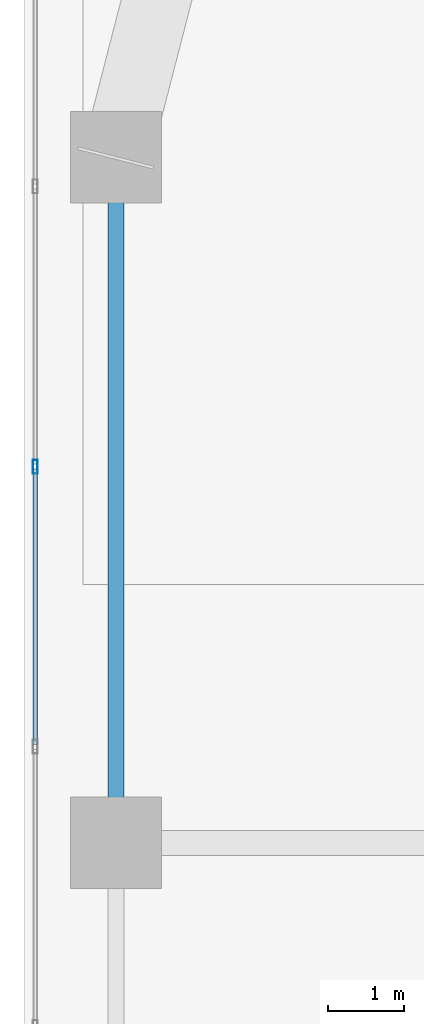
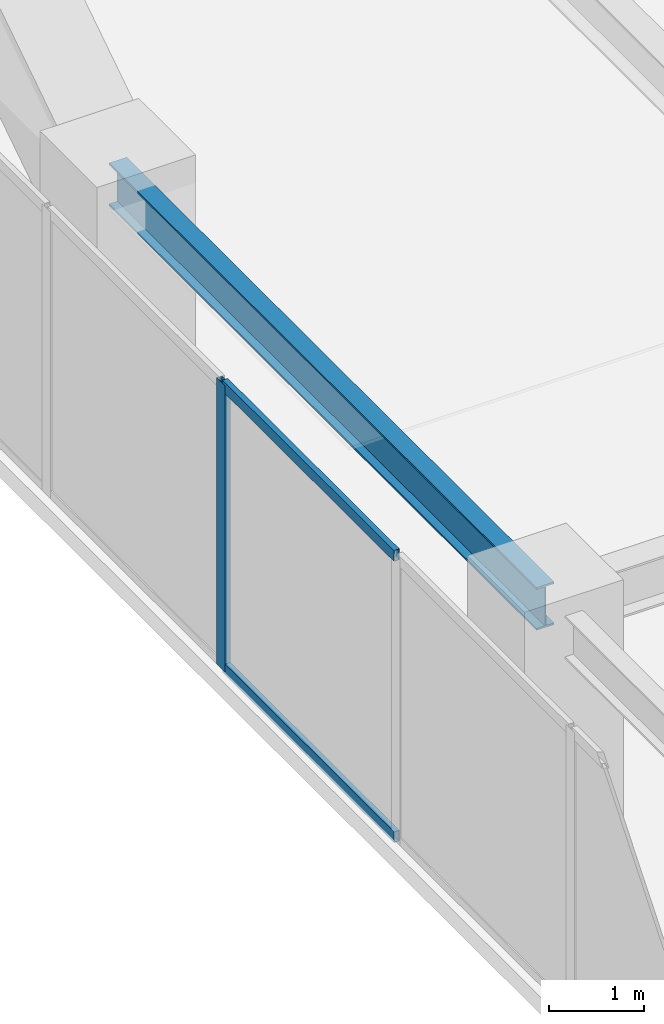
# One storey, part 7 of 30: 3 members, 1 beam, 1 element without a shape of its own.
"""IFC4 building model written with IfcOpenShell, lengths in metres."""

from ifc_helpers import new_model, si_unit, direction, frame, origin, origin_2d, place, context, subcontext, project, spatial, hollow_rectangle, i_section, extrude, material, layer, layer_set, material_profile, profile_set, type_object, element, aggregate, save


model = new_model("IFC4")

# Units and contexts
model_context = context("Model", 3, precision=1e-05, world=origin(), true_north=direction((0.0, 1.0)))
body_context = subcontext(model_context, "Body", "Model", "MODEL_VIEW")
ifc_project = project(units=[si_unit("LENGTHUNIT", "METRE"), si_unit("AREAUNIT", "SQUARE_METRE"), si_unit("VOLUMEUNIT", "CUBIC_METRE"), si_unit("PLANEANGLEUNIT", "RADIAN"), si_unit("MASSUNIT", "GRAM", prefix="KILO")], contexts=[model_context])

# Site, building, storey
site_placement = place(None, origin())
site = spatial("IfcSite", under=ifc_project, at=site_placement, CompositionType="ELEMENT")
building_placement = place(site_placement, origin())
building = spatial("IfcBuilding", under=site, at=building_placement, Name="Kiyonajd Concourse Tower", CompositionType="ELEMENT")
storey_placement = place(building_placement, frame((0.0, 0.0, 174.0)))
storey = spatial("IfcBuildingStorey", under=building, at=storey_placement, Name="L44", CompositionType="ELEMENT", Elevation=174.0)

# Beam
ifc_material_1 = material(Name="Steel ASTM A992 Grade 50", Category="steel")
ifc_material_profile_1 = material_profile(ifc_material_1, i_section(OverallWidth=0.214111328125, OverallDepth=0.549072265625, WebThickness=0.0146484375, FlangeThickness=0.023681640625, at=origin_2d()), Name="W530X138")
ifc_profile_set_1 = profile_set([ifc_material_profile_1], Name="Steel ASTM A992 Grade 50")
beam_type = type_object("IfcBeamType", Name="BM-SPAN-530A", PredefinedType="SPANDREL", material=ifc_profile_set_1)
beam_placement = place(storey_placement, frame((19.199951171875, 53.39990234375, 3.405517578125), z_axis=(0.0, -1.0, 0.0), x_axis=(1.0, 0.0, 0.0)))
element("IfcBeam", 1, at=beam_placement, inside=storey, type_object=beam_type, Name="L44 Perimeter Bundled Tube Spandrel", PredefinedType="SPANDREL", context=body_context, shape_type="SweptSolid", body=[
    extrude(i_section(OverallWidth=0.214111328125, OverallDepth=0.549072265625, WebThickness=0.0146484375, FlangeThickness=0.023681640625, at=origin_2d()), origin(), (0.0, 0.0, 1.0), 9.0),
])

# Curtain wall, members
ifc_material_2 = material(Name="Thermally Broken Anodised Aluminium", Category="aluminium")
ifc_layer = layer(ifc_material_2, 0.179931640625)
ifc_layer_set = layer_set([ifc_layer], Name="Thermally Broken Anodised Aluminium")
curtain_wall_type = type_object("IfcCurtainWallType", Name="CW-SYS-03", PredefinedType="NOTDEFINED", material=ifc_layer_set)
curtain_wall_placement = place(storey_placement, origin())
curtain_wall = element("IfcCurtainWall", 2, at=curtain_wall_placement, inside=storey, type_object=curtain_wall_type, Name="L44 Unitised Curtain Wall CW3", PredefinedType="NOTDEFINED")
ifc_material_profile_2 = material_profile(ifc_material_2, hollow_rectangle(XDim=0.06494140625, YDim=0.179931640625, WallThickness=0.00390625, at=origin_2d()), Name="MULL-65x180")
ifc_profile_set_2 = profile_set([ifc_material_profile_2], Name="Thermally Broken Anodised Aluminium")
member_type_1 = type_object("IfcMemberType", Name="MB-CW-MULL1", PredefinedType="MULLION", material=ifc_profile_set_2)
member_1_placement = place(storey_placement, frame((18.139892578125, 49.337646484375, 0.0), z_axis=(0.0, 0.0, 1.0), x_axis=(-1.0, 0.0, 0.0)))
member_1 = element("IfcMember", 3, at=member_1_placement, type_object=member_type_1, Name="CW3 mullion 5", PredefinedType="MULLION", context=body_context, shape_type="SweptSolid", body=[
    extrude(hollow_rectangle(XDim=0.06494140625, YDim=0.179931640625, WallThickness=0.00390625, at=origin_2d()), origin(), (0.0, 0.0, 1.0), 3.679931640625),
])
ifc_material_profile_3 = material_profile(ifc_material_2, hollow_rectangle(XDim=0.06494140625, YDim=0.139892578125, WallThickness=0.00390625, at=origin_2d()), Name="TRAN-65x140")
ifc_profile_set_3 = profile_set([ifc_material_profile_3], Name="Thermally Broken Anodised Aluminium")
member_type_2 = type_object("IfcMemberType", Name="MB-CW-TRAN1", PredefinedType="USERDEFINED", material=ifc_profile_set_3)
member_2_placement = place(storey_placement, frame((18.139892578125, 45.693359375, 0.032470703125), z_axis=(0.0, 1.0, 0.0), x_axis=(-1.0, 0.0, 0.0)))
member_2 = element("IfcMember", 4, at=member_2_placement, type_object=member_type_2, Name="CW3 transom 4.1", ObjectType="TRANSOM", PredefinedType="USERDEFINED", context=body_context, shape_type="SweptSolid", body=[
    extrude(hollow_rectangle(XDim=0.06494140625, YDim=0.139892578125, WallThickness=0.00390625, at=origin_2d()), origin(), (0.0, 0.0, 1.0), 3.61181640625),
])
member_3_placement = place(storey_placement, frame((18.139892578125, 45.693359375, 3.6474609375), z_axis=(0.0, 1.0, 0.0), x_axis=(-1.0, 0.0, 0.0)))
member_3 = element("IfcMember", 5, at=member_3_placement, type_object=member_type_2, Name="CW3 transom 4.2", ObjectType="TRANSOM", PredefinedType="USERDEFINED", context=body_context, shape_type="SweptSolid", body=[
    extrude(hollow_rectangle(XDim=0.06494140625, YDim=0.139892578125, WallThickness=0.00390625, at=origin_2d()), origin(), (0.0, 0.0, 1.0), 3.61181640625),
])
aggregate(curtain_wall, [member_1, member_2, member_3])

save(model, "model.ifc")
